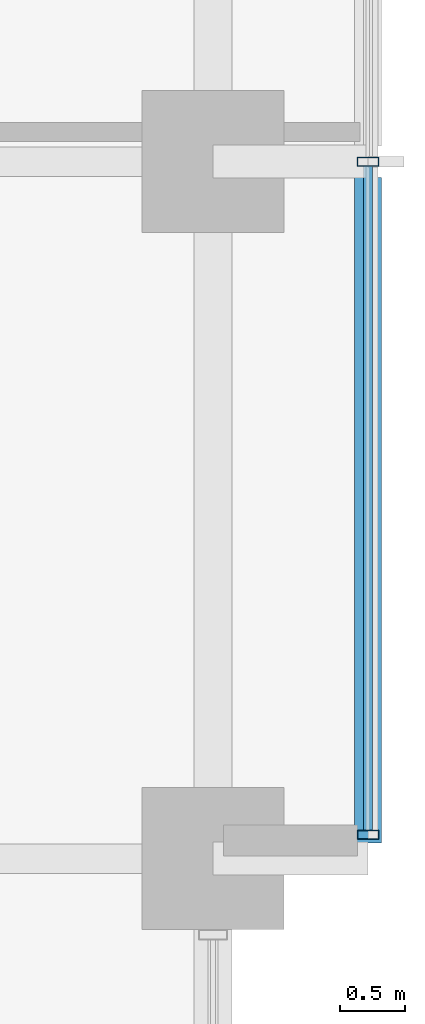
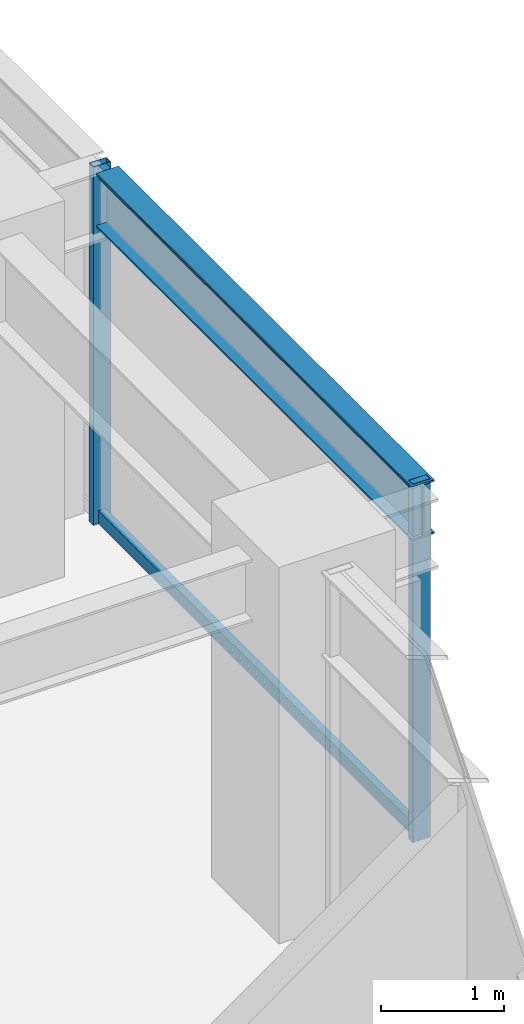
# One storey, part 10 of 26: 4 members, 1 beam, 1 element without a shape of its own.
"""IFC4 building model written with IfcOpenShell, lengths in metres."""

from ifc_helpers import new_model, si_unit, direction, frame, origin, origin_2d, place, context, subcontext, project, spatial, hollow_rectangle, i_section, extrude, material, layer, layer_set, material_profile, profile_set, type_object, element, aggregate, save


model = new_model("IFC4")

# Units and contexts
model_context = context("Model", 3, precision=1e-05, world=origin(), true_north=direction((0.0, 1.0)))
body_context = subcontext(model_context, "Body", "Model", "MODEL_VIEW")
ifc_project = project(units=[si_unit("LENGTHUNIT", "METRE"), si_unit("AREAUNIT", "SQUARE_METRE"), si_unit("VOLUMEUNIT", "CUBIC_METRE"), si_unit("PLANEANGLEUNIT", "RADIAN"), si_unit("MASSUNIT", "GRAM", prefix="KILO")], contexts=[model_context])

# Site, building, storey
site_placement = place(None, origin())
site = spatial("IfcSite", under=ifc_project, at=site_placement, CompositionType="ELEMENT")
building_placement = place(site_placement, origin())
building = spatial("IfcBuilding", under=site, at=building_placement, Name="Surkhivell Harbour Commons", CompositionType="ELEMENT")
storey_placement = place(building_placement, frame((0.0, 0.0, 102.0)))
storey = spatial("IfcBuildingStorey", under=building, at=storey_placement, Name="L26", CompositionType="ELEMENT", Elevation=102.0)

# Beam
ifc_material_1 = material(Name="Steel S355", Category="steel")
ifc_material_profile_1 = material_profile(ifc_material_1, i_section(OverallWidth=0.2099609375, OverallDepth=0.537109375, WebThickness=0.0107421875, FlangeThickness=0.017333984375, at=origin_2d()), Name="UB533x210x101")
ifc_profile_set_1 = profile_set([ifc_material_profile_1], Name="Steel S355")
beam_type = type_object("IfcBeamType", Name="BM-GRD-533B", PredefinedType="BEAM", material=ifc_profile_set_1)
beam_placement = place(storey_placement, frame((22.800048828125, 0.1220703125, 3.301513671875), z_axis=(0.0, 1.0, 0.0), x_axis=(-1.0, 0.0, 0.0)))
element("IfcBeam", 1, at=beam_placement, inside=storey, type_object=beam_type, Name="L26 Box Rim Spandrel (22.8,0.0)", PredefinedType="BEAM", context=body_context, shape_type="SweptSolid", body=[
    extrude(i_section(OverallWidth=0.2099609375, OverallDepth=0.537109375, WebThickness=0.0107421875, FlangeThickness=0.017333984375, at=origin_2d()), origin(), (0.0, 0.0, 1.0), 5.156005859375),
])

# Curtain wall, members
ifc_material_2 = material(Name="Anodised pale-metal aluminium and insulated glazing", Category="aluminium")
ifc_layer = layer(ifc_material_2, 0.1650390625)
ifc_layer_set = layer_set([ifc_layer], Name="Anodised pale-metal aluminium and insulated glazing")
curtain_wall_type = type_object("IfcCurtainWallType", Name="CW-SYS-BOX", PredefinedType="NOTDEFINED", material=ifc_layer_set)
curtain_wall_placement = place(storey_placement, origin())
curtain_wall = element("IfcCurtainWall", 2, at=curtain_wall_placement, inside=storey, type_object=curtain_wall_type, Name="L26 Curtain Wall CW-L26-BOX01", PredefinedType="NOTDEFINED")
ifc_material_3 = material(Name="Champagne anodised aluminium alloy 6063-T6", Category="aluminium")
ifc_material_profile_2 = material_profile(ifc_material_3, hollow_rectangle(XDim=0.070068359375, YDim=0.1650390625, WallThickness=0.00341796875, at=origin_2d()), Name="ALU-MULL-70x165")
ifc_profile_set_2 = profile_set([ifc_material_profile_2], Name="Champagne anodised aluminium alloy 6063-T6")
member_type_1 = type_object("IfcMemberType", Name="CWM-165", PredefinedType="MULLION", material=ifc_profile_set_2)
member_1_placement = place(storey_placement, frame((22.800048828125, 0.18505859375, 0.0), z_axis=(0.0, 0.0, 1.0), x_axis=(0.0, 1.0, 0.0)))
member_1 = element("IfcMember", 3, at=member_1_placement, type_object=member_type_1, Name="CW-BOX mullion 1", PredefinedType="MULLION", context=body_context, shape_type="SweptSolid", body=[
    extrude(hollow_rectangle(XDim=0.070068359375, YDim=0.1650390625, WallThickness=0.00341796875, at=origin_2d()), origin(), (0.0, 0.0, 1.0), 3.570068359375),
])
member_2_placement = place(storey_placement, frame((22.800048828125, 5.39990234375, 0.0), z_axis=(0.0, 0.0, 1.0), x_axis=(0.0, 1.0, 0.0)))
member_2 = element("IfcMember", 4, at=member_2_placement, type_object=member_type_1, Name="CW-BOX mullion 2", PredefinedType="MULLION", context=body_context, shape_type="SweptSolid", body=[
    extrude(hollow_rectangle(XDim=0.070068359375, YDim=0.1650390625, WallThickness=0.00341796875, at=origin_2d()), origin(), (0.0, 0.0, 1.0), 3.570068359375),
])
ifc_material_profile_3 = material_profile(ifc_material_3, hollow_rectangle(XDim=0.070068359375, YDim=0.1298828125, WallThickness=0.00341796875, at=origin_2d()), Name="ALU-TRAN-70x130")
ifc_profile_set_3 = profile_set([ifc_material_profile_3], Name="Champagne anodised aluminium alloy 6063-T6")
member_type_2 = type_object("IfcMemberType", Name="CWT-130", PredefinedType="USERDEFINED", material=ifc_profile_set_3)
member_3_placement = place(storey_placement, frame((22.800048828125, 0.219970703125, 0.06494140625), z_axis=(0.0, 1.0, 0.0), x_axis=(-1.0, 0.0, 0.0)))
member_3 = element("IfcMember", 5, at=member_3_placement, type_object=member_type_2, Name="CW-BOX transom 1.1", ObjectType="TRANSOM", PredefinedType="USERDEFINED", context=body_context, shape_type="SweptSolid", body=[
    extrude(hollow_rectangle(XDim=0.070068359375, YDim=0.1298828125, WallThickness=0.00341796875, at=origin_2d()), origin(), (0.0, 0.0, 1.0), 5.14501953125),
])
member_4_placement = place(storey_placement, frame((22.800048828125, 0.219970703125, 3.5048828125), z_axis=(0.0, 1.0, 0.0), x_axis=(-1.0, 0.0, 0.0)))
member_4 = element("IfcMember", 6, at=member_4_placement, type_object=member_type_2, Name="CW-BOX transom 1.2", ObjectType="TRANSOM", PredefinedType="USERDEFINED", context=body_context, shape_type="SweptSolid", body=[
    extrude(hollow_rectangle(XDim=0.070068359375, YDim=0.1298828125, WallThickness=0.00341796875, at=origin_2d()), origin(), (0.0, 0.0, 1.0), 5.14501953125),
])
aggregate(curtain_wall, [member_1, member_2, member_3, member_4])

save(model, "model.ifc")
